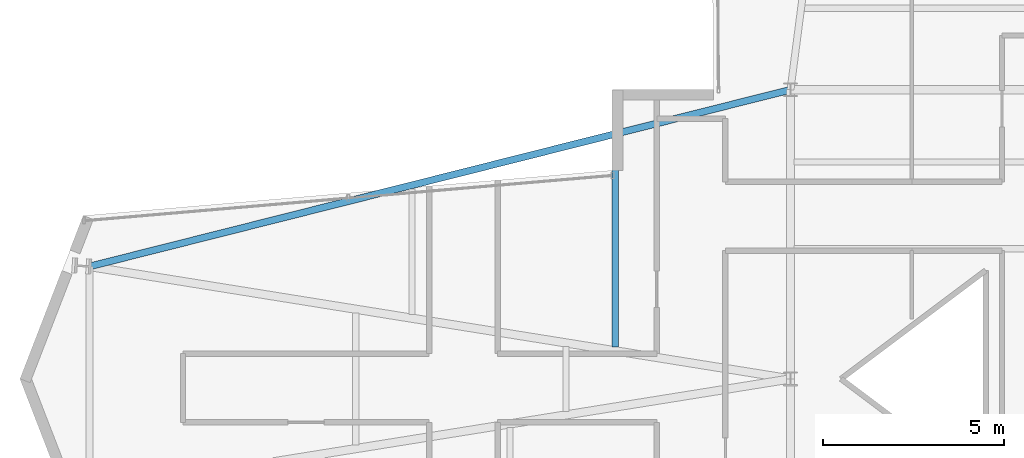
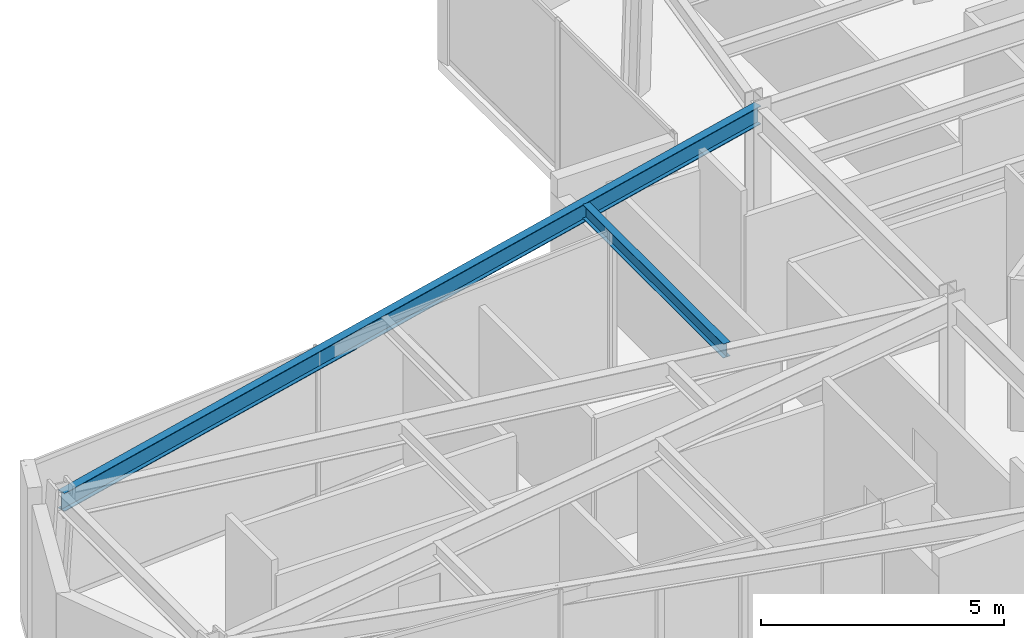
# One storey, part 10 of 26: 2 beams.
"""IFC4 building model written with IfcOpenShell, lengths in metres."""

from ifc_helpers import new_model, si_unit, direction, frame, origin, origin_2d, place, context, subcontext, project, spatial, i_section, extrude, material, material_profile, profile_set, type_object, element, save


model = new_model("IFC4")

# Units and contexts
model_context = context("Model", 3, precision=1e-05, world=origin(), true_north=direction((0.0, 1.0)))
body_context = subcontext(model_context, "Body", "Model", "MODEL_VIEW")
ifc_project = project(units=[si_unit("LENGTHUNIT", "METRE"), si_unit("AREAUNIT", "SQUARE_METRE"), si_unit("VOLUMEUNIT", "CUBIC_METRE"), si_unit("PLANEANGLEUNIT", "RADIAN"), si_unit("MASSUNIT", "GRAM", prefix="KILO")], contexts=[model_context])

# Site, building, storey
site_placement = place(None, origin())
site = spatial("IfcSite", under=ifc_project, at=site_placement, CompositionType="ELEMENT")
building_placement = place(site_placement, origin())
building = spatial("IfcBuilding", under=site, at=building_placement, Name="Veymaron Broadcast Tower", CompositionType="ELEMENT")
storey_placement = place(building_placement, frame((0.0, 0.0, 157.35009765625)))
storey = spatial("IfcBuildingStorey", under=building, at=storey_placement, Name="L36", CompositionType="ELEMENT", Elevation=157.35009765625)

# Beams
ifc_material = material(Name="Structural steel ASTM A992 Gr 50", Category="steel")
ifc_material_profile_1 = material_profile(ifc_material, i_section(OverallWidth=0.1708984375, OverallDepth=0.35498046875, WebThickness=0.007080078125, FlangeThickness=0.01171875, at=origin_2d()), Name="W360X51")
ifc_profile_set_1 = profile_set([ifc_material_profile_1], Name="Structural steel ASTM A992 Gr 50")
beam_type_1 = type_object("IfcBeamType", Name="BM-JS2", PredefinedType="JOIST", material=ifc_profile_set_1)
beam_1_placement = place(storey_placement, frame((26.3505859375, 24.87744140625, 3.63232421875), z_axis=(0.0, 1.0, 0.0), x_axis=(-1.0, 0.0, 0.0)))
element("IfcBeam", 1, at=beam_1_placement, inside=storey, type_object=beam_type_1, Name="L36 Arm-A secondary joist 2N", PredefinedType="JOIST", context=body_context, shape_type="SweptSolid", body=[
    extrude(i_section(OverallWidth=0.1708984375, OverallDepth=0.35498046875, WebThickness=0.007080078125, FlangeThickness=0.01171875, at=origin_2d()), origin(), (0.0, 0.0, 1.0), 5.800048828125),
])
ifc_material_profile_2 = material_profile(ifc_material, i_section(OverallWidth=0.19091796875, OverallDepth=0.4599609375, WebThickness=0.010009765625, FlangeThickness=0.01611328125, at=origin_2d()), Name="W460X82")
ifc_profile_set_2 = profile_set([ifc_material_profile_2], Name="Structural steel ASTM A992 Gr 50")
beam_type_2 = type_object("IfcBeamType", Name="BM-SP1", PredefinedType="SPANDREL", material=ifc_profile_set_2)
beam_2_placement = place(storey_placement, frame((11.802001953125, 27.110107421875, 3.579833984375), z_axis=(0.969665395272, 0.244436129105, 0.0), x_axis=(-0.244436129105, 0.969665395272, 0.0)))
element("IfcBeam", 2, at=beam_2_placement, inside=storey, type_object=beam_type_2, Name="L36 primary structural floor girder", PredefinedType="SPANDREL", context=body_context, shape_type="SweptSolid", body=[
    extrude(i_section(OverallWidth=0.19091796875, OverallDepth=0.4599609375, WebThickness=0.010009765625, FlangeThickness=0.01611328125, at=origin_2d()), origin(), (0.0, 0.0, 1.0), 20.0048828125),
])

save(model, "model.ifc")
